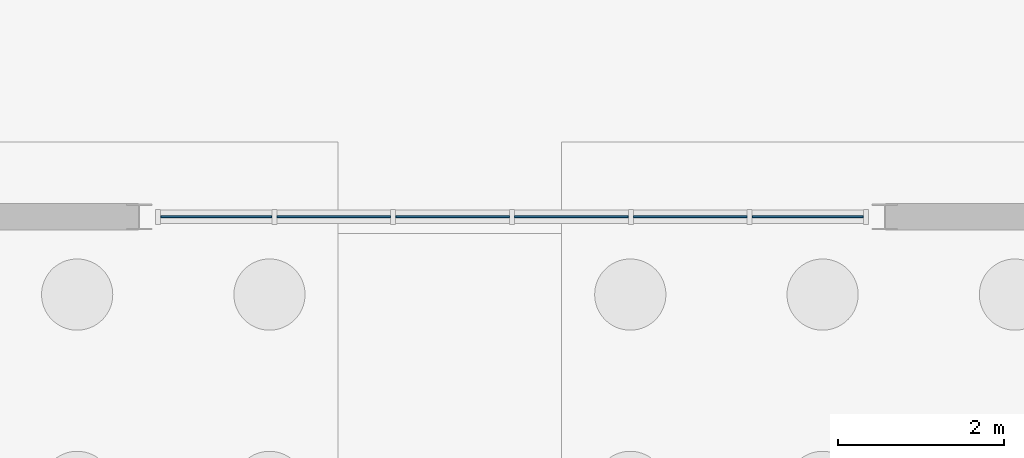
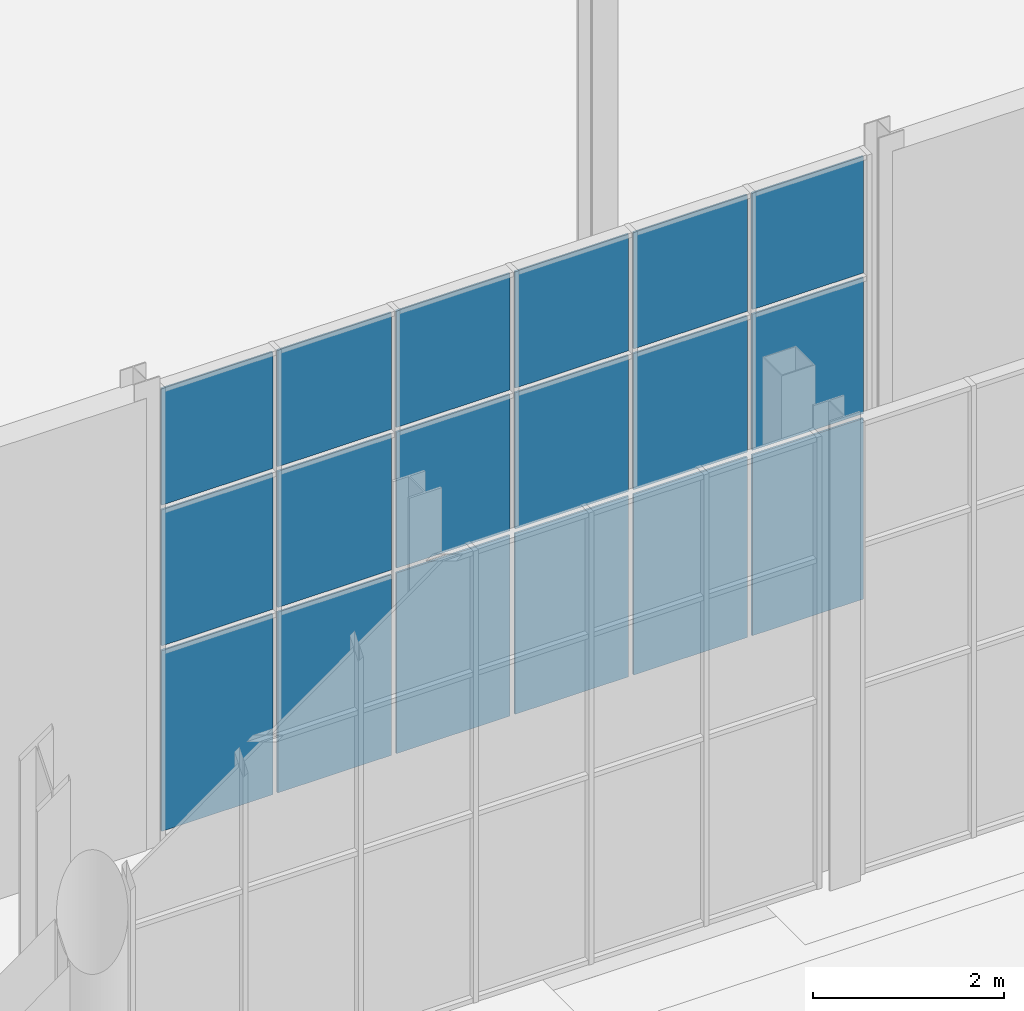
# One storey, part 84 of 131: 18 plates, 1 element without a shape of its own.
"""IFC4 building model written with IfcOpenShell, lengths in metres."""

from ifc_helpers import new_model, si_unit, direction, frame, origin, origin_2d, place, context, subcontext, project, spatial, rectangle, extrude, material, layer, layer_set, type_object, element, aggregate, save


model = new_model("IFC4")

# Units and contexts
model_context = context("Model", 3, precision=1e-05, world=origin(), true_north=direction((0.0, 1.0)))
body_context = subcontext(model_context, "Body", "Model", "MODEL_VIEW")
ifc_project = project(units=[si_unit("LENGTHUNIT", "METRE"), si_unit("AREAUNIT", "SQUARE_METRE"), si_unit("VOLUMEUNIT", "CUBIC_METRE"), si_unit("PLANEANGLEUNIT", "RADIAN"), si_unit("MASSUNIT", "GRAM", prefix="KILO")], contexts=[model_context])

# Site, building, storey
site_placement = place(None, origin())
site = spatial("IfcSite", under=ifc_project, at=site_placement, CompositionType="ELEMENT")
building_placement = place(site_placement, origin())
building = spatial("IfcBuilding", under=site, at=building_placement, Name="Cazmaro Siding Exhibition Halls", CompositionType="ELEMENT")
storey_placement = place(building_placement, origin())
storey = spatial("IfcBuildingStorey", under=building, at=storey_placement, Name="L00", CompositionType="ELEMENT", Elevation=0.0)

# Curtain wall, plates
ifc_material_1 = material(Name="Anodized Bronze Aluminum and Solar-Control Low-E Glazing", Category="aluminium")
ifc_layer_1 = layer(ifc_material_1, 0.179931640625)
ifc_layer_set_1 = layer_set([ifc_layer_1], Name="Anodized Bronze Aluminum and Solar-Control Low-E Glazing")
curtain_wall_type = type_object("IfcCurtainWallType", Name="CWS-01", PredefinedType="USERDEFINED", material=ifc_layer_set_1)
curtain_wall_placement = place(storey_placement, origin())
curtain_wall = element("IfcCurtainWall", 1, at=curtain_wall_placement, inside=storey, type_object=curtain_wall_type, Name="Glazed Curtain Wall CWS-01 CW-027", ObjectType="GLAZED CURTAIN WALL", PredefinedType="USERDEFINED")
ifc_material_2 = material(Name="Solar-Control Low-E Double Insulating Glass", Category="glass")
ifc_layer_2 = layer(ifc_material_2, 0.02392578125)
ifc_layer_set_2 = layer_set([ifc_layer_2], Name="Solar-Control Low-E Double Insulating Glass")
plate_type = type_object("IfcPlateType", Name="CWP-01", PredefinedType="CURTAIN_PANEL", material=ifc_layer_set_2)
plate_1_placement = place(storey_placement, frame((111.92919921875, 67.199951171875, 0.06005859375), z_axis=(0.0, 0.0, 1.0), x_axis=(1.0, 0.0, 0.0)))
plate_1 = element("IfcPlate", 2, at=plate_1_placement, type_object=plate_type, Name="CWS-01 panel 1.1", PredefinedType="CURTAIN_PANEL", context=body_context, shape_type="SweptSolid", body=[
    extrude(rectangle(XDim=1.34423828125, YDim=0.02392578125, at=origin_2d()), origin(), (0.0, 0.0, 1.0), 2.31005859375),
])
plate_2_placement = place(storey_placement, frame((111.92919921875, 67.199951171875, 2.43017578125), z_axis=(0.0, 0.0, 1.0), x_axis=(1.0, 0.0, 0.0)))
plate_2 = element("IfcPlate", 3, at=plate_2_placement, type_object=plate_type, Name="CWS-01 panel 1.2", PredefinedType="CURTAIN_PANEL", context=body_context, shape_type="SweptSolid", body=[
    extrude(rectangle(XDim=1.34423828125, YDim=0.02392578125, at=origin_2d()), origin(), (0.0, 0.0, 1.0), 1.739990234375),
])
plate_3_placement = place(storey_placement, frame((111.92919921875, 67.199951171875, 4.22998046875), z_axis=(0.0, 0.0, 1.0), x_axis=(1.0, 0.0, 0.0)))
plate_3 = element("IfcPlate", 4, at=plate_3_placement, type_object=plate_type, Name="CWS-01 panel 1.3", PredefinedType="CURTAIN_PANEL", context=body_context, shape_type="SweptSolid", body=[
    extrude(rectangle(XDim=1.34423828125, YDim=0.02392578125, at=origin_2d()), origin(), (0.0, 0.0, 1.0), 1.489990234375),
])
plate_4_placement = place(storey_placement, frame((113.348388671875, 67.199951171875, 0.06005859375), z_axis=(0.0, 0.0, 1.0), x_axis=(1.0, 0.0, 0.0)))
plate_4 = element("IfcPlate", 5, at=plate_4_placement, type_object=plate_type, Name="CWS-01 panel 2.1", PredefinedType="CURTAIN_PANEL", context=body_context, shape_type="SweptSolid", body=[
    extrude(rectangle(XDim=1.374267578125, YDim=0.02392578125, at=origin_2d()), origin(), (0.0, 0.0, 1.0), 2.31005859375),
])
plate_5_placement = place(storey_placement, frame((113.348388671875, 67.199951171875, 2.43017578125), z_axis=(0.0, 0.0, 1.0), x_axis=(1.0, 0.0, 0.0)))
plate_5 = element("IfcPlate", 6, at=plate_5_placement, type_object=plate_type, Name="CWS-01 panel 2.2", PredefinedType="CURTAIN_PANEL", context=body_context, shape_type="SweptSolid", body=[
    extrude(rectangle(XDim=1.374267578125, YDim=0.02392578125, at=origin_2d()), origin(), (0.0, 0.0, 1.0), 1.739990234375),
])
plate_6_placement = place(storey_placement, frame((113.348388671875, 67.199951171875, 4.22998046875), z_axis=(0.0, 0.0, 1.0), x_axis=(1.0, 0.0, 0.0)))
plate_6 = element("IfcPlate", 7, at=plate_6_placement, type_object=plate_type, Name="CWS-01 panel 2.3", PredefinedType="CURTAIN_PANEL", context=body_context, shape_type="SweptSolid", body=[
    extrude(rectangle(XDim=1.374267578125, YDim=0.02392578125, at=origin_2d()), origin(), (0.0, 0.0, 1.0), 1.489990234375),
])
plate_7_placement = place(storey_placement, frame((114.78271484375, 67.199951171875, 0.06005859375), z_axis=(0.0, 0.0, 1.0), x_axis=(1.0, 0.0, 0.0)))
plate_7 = element("IfcPlate", 8, at=plate_7_placement, type_object=plate_type, Name="CWS-01 panel 3.1", PredefinedType="CURTAIN_PANEL", context=body_context, shape_type="SweptSolid", body=[
    extrude(rectangle(XDim=1.374267578125, YDim=0.02392578125, at=origin_2d()), origin(), (0.0, 0.0, 1.0), 2.31005859375),
])
plate_8_placement = place(storey_placement, frame((114.78271484375, 67.199951171875, 2.43017578125), z_axis=(0.0, 0.0, 1.0), x_axis=(1.0, 0.0, 0.0)))
plate_8 = element("IfcPlate", 9, at=plate_8_placement, type_object=plate_type, Name="CWS-01 panel 3.2", PredefinedType="CURTAIN_PANEL", context=body_context, shape_type="SweptSolid", body=[
    extrude(rectangle(XDim=1.374267578125, YDim=0.02392578125, at=origin_2d()), origin(), (0.0, 0.0, 1.0), 1.739990234375),
])
plate_9_placement = place(storey_placement, frame((114.78271484375, 67.199951171875, 4.22998046875), z_axis=(0.0, 0.0, 1.0), x_axis=(1.0, 0.0, 0.0)))
plate_9 = element("IfcPlate", 10, at=plate_9_placement, type_object=plate_type, Name="CWS-01 panel 3.3", PredefinedType="CURTAIN_PANEL", context=body_context, shape_type="SweptSolid", body=[
    extrude(rectangle(XDim=1.374267578125, YDim=0.02392578125, at=origin_2d()), origin(), (0.0, 0.0, 1.0), 1.489990234375),
])
plate_10_placement = place(storey_placement, frame((116.21728515625, 67.199951171875, 0.06005859375), z_axis=(0.0, 0.0, 1.0), x_axis=(1.0, 0.0, 0.0)))
plate_10 = element("IfcPlate", 11, at=plate_10_placement, type_object=plate_type, Name="CWS-01 panel 4.1", PredefinedType="CURTAIN_PANEL", context=body_context, shape_type="SweptSolid", body=[
    extrude(rectangle(XDim=1.374267578125, YDim=0.02392578125, at=origin_2d()), origin(), (0.0, 0.0, 1.0), 2.31005859375),
])
plate_11_placement = place(storey_placement, frame((116.21728515625, 67.199951171875, 2.43017578125), z_axis=(0.0, 0.0, 1.0), x_axis=(1.0, 0.0, 0.0)))
plate_11 = element("IfcPlate", 12, at=plate_11_placement, type_object=plate_type, Name="CWS-01 panel 4.2", PredefinedType="CURTAIN_PANEL", context=body_context, shape_type="SweptSolid", body=[
    extrude(rectangle(XDim=1.374267578125, YDim=0.02392578125, at=origin_2d()), origin(), (0.0, 0.0, 1.0), 1.739990234375),
])
plate_12_placement = place(storey_placement, frame((116.21728515625, 67.199951171875, 4.22998046875), z_axis=(0.0, 0.0, 1.0), x_axis=(1.0, 0.0, 0.0)))
plate_12 = element("IfcPlate", 13, at=plate_12_placement, type_object=plate_type, Name="CWS-01 panel 4.3", PredefinedType="CURTAIN_PANEL", context=body_context, shape_type="SweptSolid", body=[
    extrude(rectangle(XDim=1.374267578125, YDim=0.02392578125, at=origin_2d()), origin(), (0.0, 0.0, 1.0), 1.489990234375),
])
plate_13_placement = place(storey_placement, frame((117.651611328125, 67.199951171875, 0.06005859375), z_axis=(0.0, 0.0, 1.0), x_axis=(1.0, 0.0, 0.0)))
plate_13 = element("IfcPlate", 14, at=plate_13_placement, type_object=plate_type, Name="CWS-01 panel 5.1", PredefinedType="CURTAIN_PANEL", context=body_context, shape_type="SweptSolid", body=[
    extrude(rectangle(XDim=1.374267578125, YDim=0.02392578125, at=origin_2d()), origin(), (0.0, 0.0, 1.0), 2.31005859375),
])
plate_14_placement = place(storey_placement, frame((117.651611328125, 67.199951171875, 2.43017578125), z_axis=(0.0, 0.0, 1.0), x_axis=(1.0, 0.0, 0.0)))
plate_14 = element("IfcPlate", 15, at=plate_14_placement, type_object=plate_type, Name="CWS-01 panel 5.2", PredefinedType="CURTAIN_PANEL", context=body_context, shape_type="SweptSolid", body=[
    extrude(rectangle(XDim=1.374267578125, YDim=0.02392578125, at=origin_2d()), origin(), (0.0, 0.0, 1.0), 1.739990234375),
])
plate_15_placement = place(storey_placement, frame((117.651611328125, 67.199951171875, 4.22998046875), z_axis=(0.0, 0.0, 1.0), x_axis=(1.0, 0.0, 0.0)))
plate_15 = element("IfcPlate", 16, at=plate_15_placement, type_object=plate_type, Name="CWS-01 panel 5.3", PredefinedType="CURTAIN_PANEL", context=body_context, shape_type="SweptSolid", body=[
    extrude(rectangle(XDim=1.374267578125, YDim=0.02392578125, at=origin_2d()), origin(), (0.0, 0.0, 1.0), 1.489990234375),
])
plate_16_placement = place(storey_placement, frame((119.07080078125, 67.199951171875, 0.06005859375), z_axis=(0.0, 0.0, 1.0), x_axis=(1.0, 0.0, 0.0)))
plate_16 = element("IfcPlate", 17, at=plate_16_placement, type_object=plate_type, Name="CWS-01 panel 6.1", PredefinedType="CURTAIN_PANEL", context=body_context, shape_type="SweptSolid", body=[
    extrude(rectangle(XDim=1.34423828125, YDim=0.02392578125, at=origin_2d()), origin(), (0.0, 0.0, 1.0), 2.31005859375),
])
plate_17_placement = place(storey_placement, frame((119.07080078125, 67.199951171875, 2.43017578125), z_axis=(0.0, 0.0, 1.0), x_axis=(1.0, 0.0, 0.0)))
plate_17 = element("IfcPlate", 18, at=plate_17_placement, type_object=plate_type, Name="CWS-01 panel 6.2", PredefinedType="CURTAIN_PANEL", context=body_context, shape_type="SweptSolid", body=[
    extrude(rectangle(XDim=1.34423828125, YDim=0.02392578125, at=origin_2d()), origin(), (0.0, 0.0, 1.0), 1.739990234375),
])
plate_18_placement = place(storey_placement, frame((119.07080078125, 67.199951171875, 4.22998046875), z_axis=(0.0, 0.0, 1.0), x_axis=(1.0, 0.0, 0.0)))
plate_18 = element("IfcPlate", 19, at=plate_18_placement, type_object=plate_type, Name="CWS-01 panel 6.3", PredefinedType="CURTAIN_PANEL", context=body_context, shape_type="SweptSolid", body=[
    extrude(rectangle(XDim=1.34423828125, YDim=0.02392578125, at=origin_2d()), origin(), (0.0, 0.0, 1.0), 1.489990234375),
])
aggregate(curtain_wall, [plate_1, plate_2, plate_3, plate_4, plate_5, plate_6, plate_7, plate_8, plate_9, plate_10, plate_11, plate_12, plate_13, plate_14, plate_15, plate_16, plate_17, plate_18])

save(model, "model.ifc")
